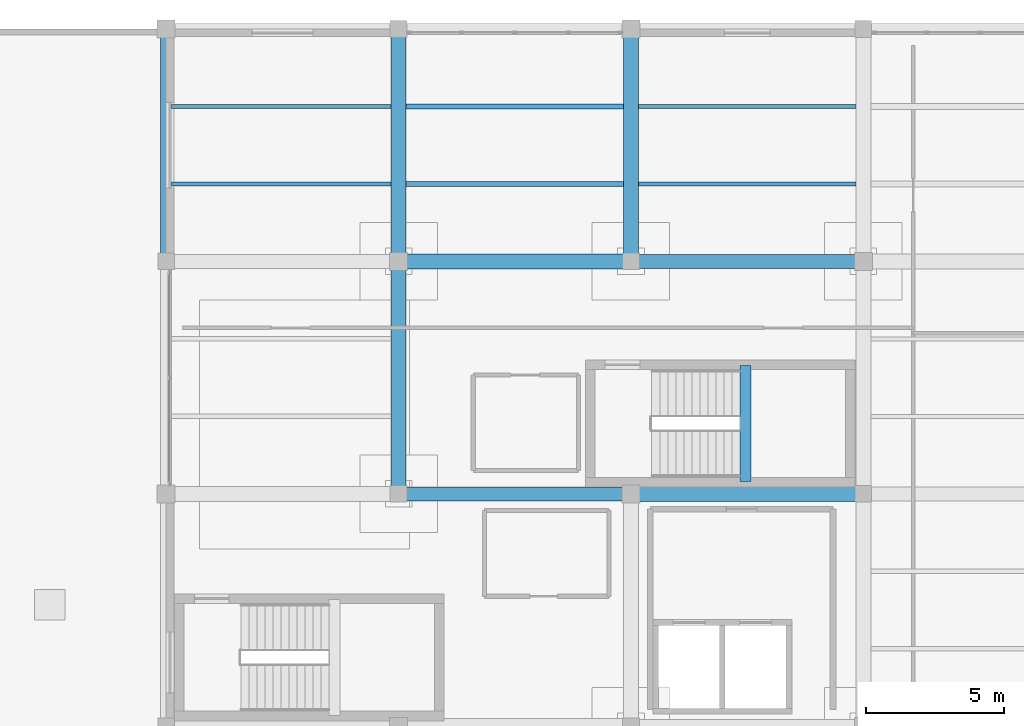
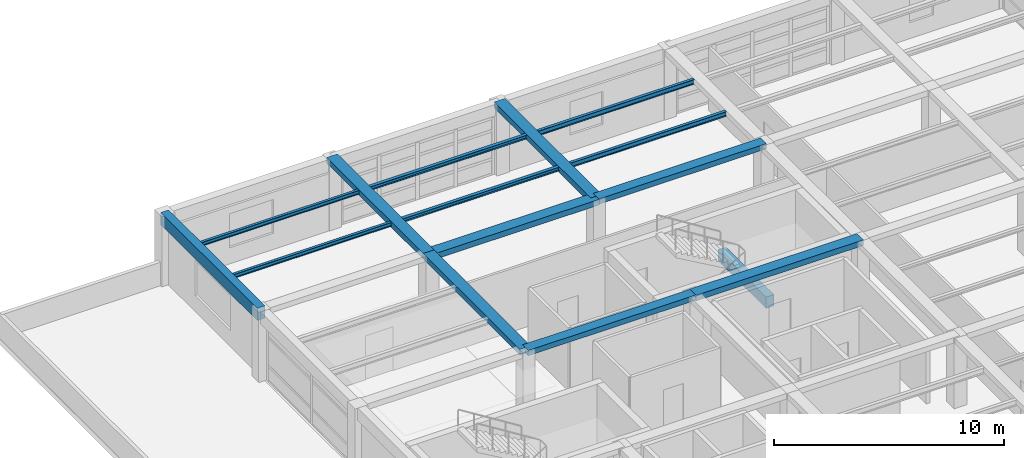
# One storey, part 8 of 26: 15 beams.
"""IFC4 building model written with IfcOpenShell, lengths in metres."""

from ifc_helpers import new_model, si_unit, direction, frame, origin, origin_2d, place, context, subcontext, project, spatial, rectangle, i_section, extrude, material, material_profile, profile_set, type_object, element, save


model = new_model("IFC4")

# Units and contexts
model_context = context("Model", 3, precision=1e-05, world=origin(), true_north=direction((0.0, 1.0)))
body_context = subcontext(model_context, "Body", "Model", "MODEL_VIEW")
ifc_project = project(units=[si_unit("LENGTHUNIT", "METRE"), si_unit("AREAUNIT", "SQUARE_METRE"), si_unit("VOLUMEUNIT", "CUBIC_METRE"), si_unit("PLANEANGLEUNIT", "RADIAN"), si_unit("MASSUNIT", "GRAM", prefix="KILO")], contexts=[model_context])

# Site, building, storey
site_placement = place(None, origin())
site = spatial("IfcSite", under=ifc_project, at=site_placement, CompositionType="ELEMENT")
building_placement = place(site_placement, origin())
building = spatial("IfcBuilding", under=site, at=building_placement, Name="Almacenes y Pasaje Nevantli", CompositionType="ELEMENT")
storey_placement = place(building_placement, frame((0.0, 0.0, 42.699951171875)))
storey = spatial("IfcBuildingStorey", under=building, at=storey_placement, Name="L10", CompositionType="ELEMENT", Elevation=42.699951171875)

# Beams
ifc_material_1 = material(Name="Concrete C35/45", Category="concrete")
ifc_material_profile_1 = material_profile(ifc_material_1, rectangle(XDim=0.39990234375, YDim=0.60009765625, at=origin_2d()), Name="RC-BM-400x600")
ifc_profile_set_1 = profile_set([ifc_material_profile_1], Name="Concrete C35/45")
beam_type_1 = type_object("IfcBeamType", Name="BM-RC-400x600", PredefinedType="SPANDREL", material=ifc_profile_set_1)
beam_1_placement = place(storey_placement, frame((138.5400390625, 84.449951171875, 1.5), z_axis=(0.0, 1.0, 0.0), x_axis=(-1.0, 0.0, 0.0)))
element("IfcBeam", 1, at=beam_1_placement, inside=storey, type_object=beam_type_1, Name="L10 Stair ST-02 Half-Landing Support Beam", PredefinedType="SPANDREL", context=body_context, shape_type="SweptSolid", body=[
    extrude(rectangle(XDim=0.39990234375, YDim=0.60009765625, at=origin_2d()), origin(), (0.0, 0.0, 1.0), 4.18994140625),
])
ifc_material_2 = material(Name="Concrete C35/45", Category="concrete")
ifc_material_profile_2 = material_profile(ifc_material_2, rectangle(XDim=0.39990234375, YDim=0.64990234375, at=origin_2d()), Name="RC-BM-400x650")
ifc_profile_set_2 = profile_set([ifc_material_profile_2], Name="Concrete C35/45")
beam_type_2 = type_object("IfcBeamType", Name="BM-RC-400x650", PredefinedType="SPANDREL", material=ifc_profile_set_2)
beam_2_placement = place(storey_placement, frame((117.60009765625, 92.39990234375, 3.39501953125), z_axis=(0.0, 1.0, 0.0), x_axis=(-1.0, 0.0, 0.0)))
element("IfcBeam", 2, at=beam_2_placement, inside=storey, type_object=beam_type_2, Name="L10 North-South Reinforced Concrete Beam #3825", PredefinedType="SPANDREL", context=body_context, shape_type="SweptSolid", body=[
    extrude(rectangle(XDim=0.39990234375, YDim=0.64990234375, at=origin_2d()), origin(), (0.0, 0.0, 1.0), 8.400146484375),
])
ifc_material_3 = material(Name="Concrete C35/45", Category="concrete")
ifc_material_profile_3 = material_profile(ifc_material_3, rectangle(XDim=0.5, YDim=0.280029296875, at=origin_2d()), Name="RC-BM-500x280")
ifc_profile_set_3 = profile_set([ifc_material_profile_3], Name="Concrete C35/45")
beam_type_3 = type_object("IfcBeamType", Name="BM-RC-500x280", PredefinedType="BEAM", material=ifc_profile_set_3)
beam_3_placement = place(storey_placement, frame((126.0, 84.0, 3.580078125), z_axis=(1.0, 0.0, 0.0), x_axis=(0.0, 1.0, 0.0)))
element("IfcBeam", 3, at=beam_3_placement, inside=storey, type_object=beam_type_3, Name="L10 East-West Reinforced Concrete Beam #3808", PredefinedType="BEAM", context=body_context, shape_type="SweptSolid", body=[
    extrude(rectangle(XDim=0.5, YDim=0.280029296875, at=origin_2d()), origin(), (0.0, 0.0, 1.0), 8.39990234375),
])
beam_4_placement = place(storey_placement, frame((134.39990234375, 92.39990234375, 3.580078125), z_axis=(1.0, 0.0, 0.0), x_axis=(0.0, 1.0, 0.0)))
element("IfcBeam", 4, at=beam_4_placement, inside=storey, type_object=beam_type_3, Name="L10 East-West Reinforced Concrete Beam #3814", PredefinedType="BEAM", context=body_context, shape_type="SweptSolid", body=[
    extrude(rectangle(XDim=0.5, YDim=0.280029296875, at=origin_2d()), origin(), (0.0, 0.0, 1.0), 8.400146484375),
])
ifc_material_4 = material(Name="Concrete C35/45", Category="concrete")
ifc_material_profile_4 = material_profile(ifc_material_4, rectangle(XDim=0.550048828125, YDim=0.300048828125, at=origin_2d()), Name="RC-BM-550x300")
ifc_profile_set_4 = profile_set([ifc_material_profile_4], Name="Concrete C35/45")
beam_type_4 = type_object("IfcBeamType", Name="BM-RC-550x300", PredefinedType="BEAM", material=ifc_profile_set_4)
beam_5_placement = place(storey_placement, frame((134.39990234375, 84.0, 3.570068359375), z_axis=(1.0, 0.0, 0.0), x_axis=(0.0, 1.0, 0.0)))
element("IfcBeam", 5, at=beam_5_placement, inside=storey, type_object=beam_type_4, Name="L10 East-West Reinforced Concrete Beam #3809", PredefinedType="BEAM", context=body_context, shape_type="SweptSolid", body=[
    extrude(rectangle(XDim=0.550048828125, YDim=0.300048828125, at=origin_2d()), origin(), (0.0, 0.0, 1.0), 8.400146484375),
])
for number, where, z_axis, x_axis, name in (
    (6, (126.0, 92.39990234375, 3.570068359375), (1.0, 0.0, 0.0), (0.0, 1.0, 0.0), "L10 East-West Reinforced Concrete Beam #3813"),
    (7, (126.0, 84.0, 3.570068359375), (0.0, 1.0, 0.0), (-1.0, 0.0, 0.0), "L10 North-South Reinforced Concrete Beam #3827"),
):
    element("IfcBeam", number, at=place(storey_placement, frame(where, z_axis=z_axis, x_axis=x_axis)), inside=storey, type_object=beam_type_4, Name=name, PredefinedType="BEAM", context=body_context, shape_type="SweptSolid", body=[
        extrude(rectangle(XDim=0.550048828125, YDim=0.300048828125, at=origin_2d()), origin(), (0.0, 0.0, 1.0), 8.39990234375),
    ])
for number, where, z_axis, x_axis, name in (
    (8, (126.0, 92.39990234375, 3.570068359375), (0.0, 1.0, 0.0), (-1.0, 0.0, 0.0), "L10 North-South Reinforced Concrete Beam #3828"),
    (9, (134.39990234375, 92.39990234375, 3.570068359375), (0.0, 1.0, 0.0), (-1.0, 0.0, 0.0), "L10 North-South Reinforced Concrete Beam #3831"),
):
    element("IfcBeam", number, at=place(storey_placement, frame(where, z_axis=z_axis, x_axis=x_axis)), inside=storey, type_object=beam_type_4, Name=name, PredefinedType="BEAM", context=body_context, shape_type="SweptSolid", body=[
        extrude(rectangle(XDim=0.550048828125, YDim=0.300048828125, at=origin_2d()), origin(), (0.0, 0.0, 1.0), 8.400146484375),
    ])
ifc_material_5 = material(Name="Steel ASTM A992", Category="steel")
ifc_material_profile_5 = material_profile(ifc_material_5, i_section(OverallWidth=0.134033203125, OverallDepth=0.2099609375, WebThickness=0.00634765625, FlangeThickness=0.01025390625, at=origin_2d()), Name="IR 203x31.3")
ifc_profile_set_5 = profile_set([ifc_material_profile_5], Name="Steel ASTM A992")
beam_type_5 = type_object("IfcBeamType", Name="BM-STL-IR-203x31p3", PredefinedType="JOIST", material=ifc_profile_set_5)
for number, where, z_axis, x_axis, name in (
    (10, (117.800048828125, 95.199951171875, 3.60693359375), (1.0, 0.0, 0.0), (0.0, 1.0, 0.0), "L10 Secondary Steel Floor Joist #1491"),
    (11, (117.800048828125, 98.0, 3.60693359375), (1.0, 0.0, 0.0), (0.0, 1.0, 0.0), "L10 Secondary Steel Floor Joist #1492"),
):
    element("IfcBeam", number, at=place(storey_placement, frame(where, z_axis=z_axis, x_axis=x_axis)), inside=storey, type_object=beam_type_5, Name=name, PredefinedType="JOIST", context=body_context, shape_type="SweptSolid", body=[
        extrude(i_section(OverallWidth=0.134033203125, OverallDepth=0.2099609375, WebThickness=0.00634765625, FlangeThickness=0.01025390625, at=origin_2d()), origin(), (0.0, 0.0, 1.0), 7.925048828125),
    ])
ifc_material_6 = material(Name="Steel ASTM A992", Category="steel")
ifc_material_profile_6 = material_profile(ifc_material_6, i_section(OverallWidth=0.166015625, OverallDepth=0.205078125, WebThickness=0.007080078125, FlangeThickness=0.01171875, at=origin_2d()), Name="IR 203x41.7")
ifc_profile_set_6 = profile_set([ifc_material_profile_6], Name="Steel ASTM A992")
beam_type_6 = type_object("IfcBeamType", Name="BM-STL-IR-203x41p7", PredefinedType="JOIST", material=ifc_profile_set_6)
for number, where, z_axis, x_axis, name in (
    (12, (126.27490234375, 95.199951171875, 3.609619140625), (1.0, 0.0, 0.0), (0.0, 1.0, 0.0), "L10 Secondary Steel Floor Joist #1493"),
    (13, (126.27490234375, 98.0, 3.609619140625), (1.0, 0.0, 0.0), (0.0, 1.0, 0.0), "L10 Secondary Steel Floor Joist #1494"),
):
    element("IfcBeam", number, at=place(storey_placement, frame(where, z_axis=z_axis, x_axis=x_axis)), inside=storey, type_object=beam_type_6, Name=name, PredefinedType="JOIST", context=body_context, shape_type="SweptSolid", body=[
        extrude(i_section(OverallWidth=0.166015625, OverallDepth=0.205078125, WebThickness=0.007080078125, FlangeThickness=0.01171875, at=origin_2d()), origin(), (0.0, 0.0, 1.0), 7.85009765625),
    ])
ifc_material_7 = material(Name="Steel ASTM A992", Category="steel")
ifc_material_profile_7 = material_profile(ifc_material_7, i_section(OverallWidth=0.14697265625, OverallDepth=0.257080078125, WebThickness=0.006591796875, FlangeThickness=0.01123046875, at=origin_2d()), Name="IR 254x38.7")
ifc_profile_set_7 = profile_set([ifc_material_profile_7], Name="Steel ASTM A992")
beam_type_7 = type_object("IfcBeamType", Name="BM-STL-IR-254x38p7", PredefinedType="JOIST", material=ifc_profile_set_7)
for number, where, z_axis, x_axis, name in (
    (14, (134.675048828125, 95.199951171875, 3.58349609375), (1.0, 0.0, 0.0), (0.0, 1.0, 0.0), "L10 Secondary Steel Floor Joist #1497"),
    (15, (134.675048828125, 98.0, 3.58349609375), (1.0, 0.0, 0.0), (0.0, 1.0, 0.0), "L10 Secondary Steel Floor Joist #1498"),
):
    element("IfcBeam", number, at=place(storey_placement, frame(where, z_axis=z_axis, x_axis=x_axis)), inside=storey, type_object=beam_type_7, Name=name, PredefinedType="JOIST", context=body_context, shape_type="SweptSolid", body=[
        extrude(i_section(OverallWidth=0.14697265625, OverallDepth=0.257080078125, WebThickness=0.006591796875, FlangeThickness=0.01123046875, at=origin_2d()), origin(), (0.0, 0.0, 1.0), 7.849853515625),
    ])

save(model, "model.ifc")
